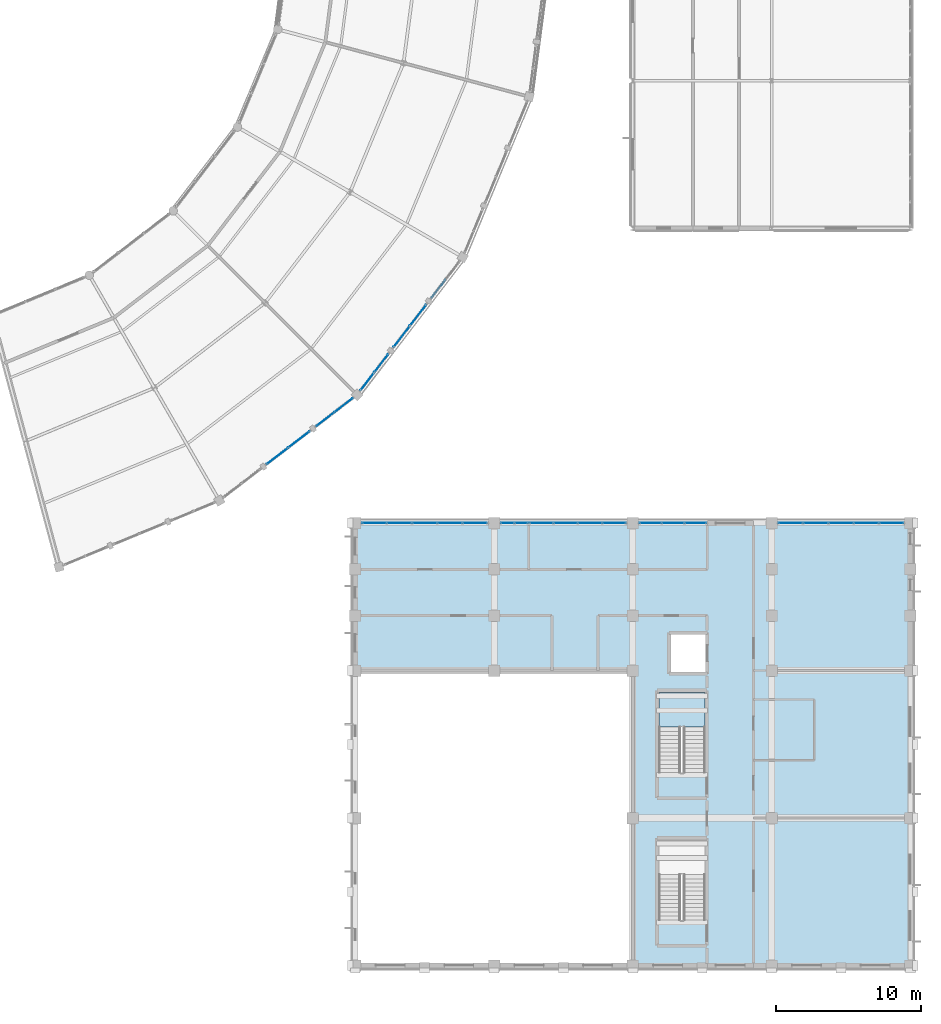
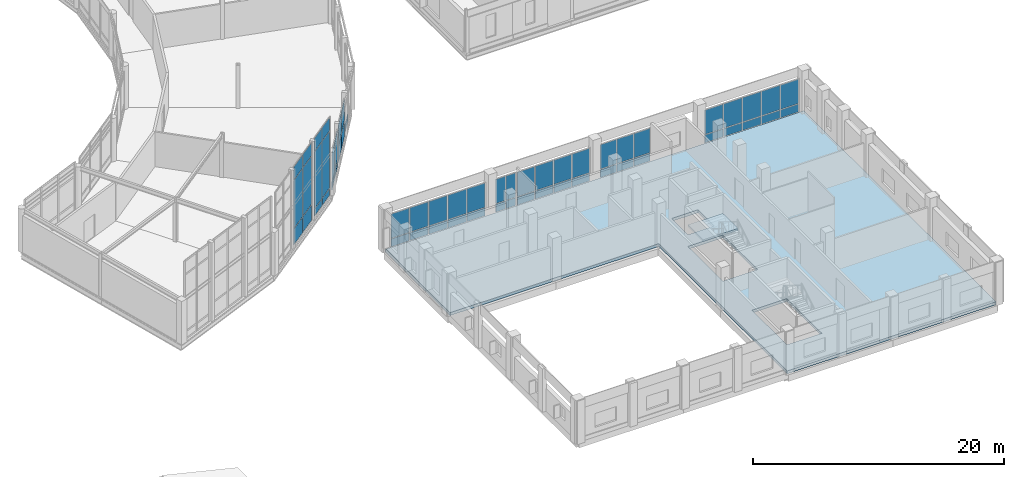
# One storey, part 132 of 170: 59 plates, 2 slabs, 11 elements without a shape of their own.
"""IFC4 building model written with IfcOpenShell, lengths in metres."""

from ifc_helpers import new_model, si_unit, direction, frame, origin, origin_2d, place, context, subcontext, project, spatial, polyline, rectangle, outline, extrude, material, layer, layer_set, type_object, element, aggregate, save


model = new_model("IFC4")

# Units and contexts
model_context = context("Model", 3, precision=1e-05, world=origin(), true_north=direction((0.0, 1.0)))
body_context = subcontext(model_context, "Body", "Model", "MODEL_VIEW")
ifc_project = project(units=[si_unit("LENGTHUNIT", "METRE"), si_unit("AREAUNIT", "SQUARE_METRE"), si_unit("VOLUMEUNIT", "CUBIC_METRE"), si_unit("PLANEANGLEUNIT", "RADIAN"), si_unit("MASSUNIT", "GRAM", prefix="KILO")], contexts=[model_context])

# Site, building, storey
site_placement = place(None, origin())
site = spatial("IfcSite", under=ifc_project, at=site_placement, CompositionType="ELEMENT")
building_placement = place(site_placement, origin())
building = spatial("IfcBuilding", under=site, at=building_placement, Name="Vondelvale Polytechnic", CompositionType="ELEMENT")
storey_placement = place(building_placement, frame((0.0, 0.0, 5.39990234375)))
storey = spatial("IfcBuildingStorey", under=building, at=storey_placement, Name="L01", CompositionType="ELEMENT", Elevation=5.39990234375)

# Curtain wall, plates
ifc_material_1 = material(Name="Anodised extruded aluminium 6063-T6", Category="aluminium")
curtain_wall_type_1 = type_object("IfcCurtainWallType", Name="CW-STUDIO-NORTH", PredefinedType="NOTDEFINED", material=ifc_material_1)
curtain_wall_1_placement = place(storey_placement, origin())
curtain_wall_1 = element("IfcCurtainWall", 1, at=curtain_wall_1_placement, inside=storey, type_object=curtain_wall_type_1, Name="L01 architectural curtain wall CW-01-058", PredefinedType="NOTDEFINED")
ifc_material_2 = material(Name="Double-glazed low-E insulated architectural glass", Category="glass")
ifc_layer_1 = layer(ifc_material_2, 0.028076171875)
ifc_layer_set_1 = layer_set([ifc_layer_1], Name="CW-PANEL-GLAZED")
plate_type_1 = type_object("IfcPlateType", Name="CW-PANEL-GLAZED", PredefinedType="CURTAIN_PANEL", material=ifc_layer_set_1)
plate_1_placement = place(storey_placement, frame((135.72021484375, 30.60009765625, 0.8798828125), z_axis=(0.0, 0.0, 1.0), x_axis=(1.0, 0.0, 0.0)))
plate_1 = element("IfcPlate", 2, at=plate_1_placement, type_object=plate_type_1, Name="CW-01-058 panel 1.2", PredefinedType="CURTAIN_PANEL", context=body_context, shape_type="SweptSolid", body=[
    extrude(rectangle(XDim=1.650390625, YDim=0.028076171875, at=origin_2d()), origin(), (0.0, 0.0, 1.0), 2.360107421875),
])
plate_2_placement = place(storey_placement, frame((137.451904296875, 30.60009765625, 0.8798828125), z_axis=(0.0, 0.0, 1.0), x_axis=(1.0, 0.0, 0.0)))
plate_2 = element("IfcPlate", 3, at=plate_2_placement, type_object=plate_type_1, Name="CW-01-058 panel 2.2", PredefinedType="CURTAIN_PANEL", context=body_context, shape_type="SweptSolid", body=[
    extrude(rectangle(XDim=1.68310546875, YDim=0.028076171875, at=origin_2d()), origin(), (0.0, 0.0, 1.0), 2.360107421875),
])
plate_3_placement = place(storey_placement, frame((139.199951171875, 30.60009765625, 0.8798828125), z_axis=(0.0, 0.0, 1.0), x_axis=(1.0, 0.0, 0.0)))
plate_3 = element("IfcPlate", 4, at=plate_3_placement, type_object=plate_type_1, Name="CW-01-058 panel 3.2", PredefinedType="CURTAIN_PANEL", context=body_context, shape_type="SweptSolid", body=[
    extrude(rectangle(XDim=1.68310546875, YDim=0.028076171875, at=origin_2d()), origin(), (0.0, 0.0, 1.0), 2.360107421875),
])
plate_4_placement = place(storey_placement, frame((140.947998046875, 30.60009765625, 0.8798828125), z_axis=(0.0, 0.0, 1.0), x_axis=(1.0, 0.0, 0.0)))
plate_4 = element("IfcPlate", 5, at=plate_4_placement, type_object=plate_type_1, Name="CW-01-058 panel 4.2", PredefinedType="CURTAIN_PANEL", context=body_context, shape_type="SweptSolid", body=[
    extrude(rectangle(XDim=1.68310546875, YDim=0.028076171875, at=origin_2d()), origin(), (0.0, 0.0, 1.0), 2.360107421875),
])
plate_5_placement = place(storey_placement, frame((142.6796875, 30.60009765625, 0.8798828125), z_axis=(0.0, 0.0, 1.0), x_axis=(1.0, 0.0, 0.0)))
plate_5 = element("IfcPlate", 6, at=plate_5_placement, type_object=plate_type_1, Name="CW-01-058 panel 5.2", PredefinedType="CURTAIN_PANEL", context=body_context, shape_type="SweptSolid", body=[
    extrude(rectangle(XDim=1.650390625, YDim=0.028076171875, at=origin_2d()), origin(), (0.0, 0.0, 1.0), 2.360107421875),
])

curtain_wall_2_placement = place(storey_placement, origin())
curtain_wall_2 = element("IfcCurtainWall", 7, at=curtain_wall_2_placement, inside=storey, type_object=curtain_wall_type_1, Name="L01 architectural curtain wall CW-01-059", PredefinedType="NOTDEFINED")
plate_6_placement = place(storey_placement, frame((144.93505859375, 30.60009765625, 0.8798828125), z_axis=(0.0, 0.0, 1.0), x_axis=(1.0, 0.0, 0.0)))
plate_6 = element("IfcPlate", 8, at=plate_6_placement, type_object=plate_type_1, Name="CW-01-059 panel 1.2", PredefinedType="CURTAIN_PANEL", context=body_context, shape_type="SweptSolid", body=[
    extrude(rectangle(XDim=0.8798828125, YDim=0.028076171875, at=origin_2d()), origin(), (0.0, 0.0, 1.0), 2.360107421875),
])
plate_7_placement = place(storey_placement, frame((145.8798828125, 30.60009765625, 0.8798828125), z_axis=(0.0, 0.0, 1.0), x_axis=(1.0, 0.0, 0.0)))
plate_7 = element("IfcPlate", 9, at=plate_7_placement, type_object=plate_type_1, Name="CW-01-059 panel 2.2", PredefinedType="CURTAIN_PANEL", context=body_context, shape_type="SweptSolid", body=[
    extrude(rectangle(XDim=0.8798828125, YDim=0.028076171875, at=origin_2d()), origin(), (0.0, 0.0, 1.0), 2.360107421875),
])

curtain_wall_3_placement = place(storey_placement, origin())
curtain_wall_3 = element("IfcCurtainWall", 10, at=curtain_wall_3_placement, inside=storey, type_object=curtain_wall_type_1, Name="L01 architectural curtain wall CW-01-060", PredefinedType="NOTDEFINED")
plate_8_placement = place(storey_placement, frame((147.275634765625, 30.60009765625, 0.8798828125), z_axis=(0.0, 0.0, 1.0), x_axis=(1.0, 0.0, 0.0)))
plate_8 = element("IfcPlate", 11, at=plate_8_placement, type_object=plate_type_1, Name="CW-01-060 panel 1.2", PredefinedType="CURTAIN_PANEL", context=body_context, shape_type="SweptSolid", body=[
    extrude(rectangle(XDim=1.59130859375, YDim=0.028076171875, at=origin_2d()), origin(), (0.0, 0.0, 1.0), 2.360107421875),
])
plate_9_placement = place(storey_placement, frame((148.9482421875, 30.60009765625, 0.8798828125), z_axis=(0.0, 0.0, 1.0), x_axis=(1.0, 0.0, 0.0)))
plate_9 = element("IfcPlate", 12, at=plate_9_placement, type_object=plate_type_1, Name="CW-01-060 panel 2.2", PredefinedType="CURTAIN_PANEL", context=body_context, shape_type="SweptSolid", body=[
    extrude(rectangle(XDim=1.623779296875, YDim=0.028076171875, at=origin_2d()), origin(), (0.0, 0.0, 1.0), 2.360107421875),
])
plate_10_placement = place(storey_placement, frame((150.636962890625, 30.60009765625, 0.8798828125), z_axis=(0.0, 0.0, 1.0), x_axis=(1.0, 0.0, 0.0)))
plate_10 = element("IfcPlate", 13, at=plate_10_placement, type_object=plate_type_1, Name="CW-01-060 panel 3.2", PredefinedType="CURTAIN_PANEL", context=body_context, shape_type="SweptSolid", body=[
    extrude(rectangle(XDim=1.623779296875, YDim=0.028076171875, at=origin_2d()), origin(), (0.0, 0.0, 1.0), 2.360107421875),
])
plate_11_placement = place(storey_placement, frame((152.309326171875, 30.60009765625, 0.8798828125), z_axis=(0.0, 0.0, 1.0), x_axis=(1.0, 0.0, 0.0)))
plate_11 = element("IfcPlate", 14, at=plate_11_placement, type_object=plate_type_1, Name="CW-01-060 panel 4.2", PredefinedType="CURTAIN_PANEL", context=body_context, shape_type="SweptSolid", body=[
    extrude(rectangle(XDim=1.59130859375, YDim=0.028076171875, at=origin_2d()), origin(), (0.0, 0.0, 1.0), 2.360107421875),
])

curtain_wall_4_placement = place(storey_placement, origin())
curtain_wall_4 = element("IfcCurtainWall", 15, at=curtain_wall_4_placement, inside=storey, type_object=curtain_wall_type_1, Name="L01 architectural curtain wall CW-01-061", PredefinedType="NOTDEFINED")
plate_12_placement = place(storey_placement, frame((154.830322265625, 30.60009765625, 0.8798828125), z_axis=(0.0, 0.0, 1.0), x_axis=(1.0, 0.0, 0.0)))
plate_12 = element("IfcPlate", 16, at=plate_12_placement, type_object=plate_type_1, Name="CW-01-061 panel 1.2", PredefinedType="CURTAIN_PANEL", context=body_context, shape_type="SweptSolid", body=[
    extrude(rectangle(XDim=1.470947265625, YDim=0.028076171875, at=origin_2d()), origin(), (0.0, 0.0, 1.0), 2.360107421875),
])
plate_13_placement = place(storey_placement, frame((156.382568359375, 30.60009765625, 0.8798828125), z_axis=(0.0, 0.0, 1.0), x_axis=(1.0, 0.0, 0.0)))
plate_13 = element("IfcPlate", 17, at=plate_13_placement, type_object=plate_type_1, Name="CW-01-061 panel 2.2", PredefinedType="CURTAIN_PANEL", context=body_context, shape_type="SweptSolid", body=[
    extrude(rectangle(XDim=1.50341796875, YDim=0.028076171875, at=origin_2d()), origin(), (0.0, 0.0, 1.0), 2.360107421875),
])
plate_14_placement = place(storey_placement, frame((157.9345703125, 30.60009765625, 0.8798828125), z_axis=(0.0, 0.0, 1.0), x_axis=(1.0, 0.0, 0.0)))
plate_14 = element("IfcPlate", 18, at=plate_14_placement, type_object=plate_type_1, Name="CW-01-061 panel 3.2", PredefinedType="CURTAIN_PANEL", context=body_context, shape_type="SweptSolid", body=[
    extrude(rectangle(XDim=1.470947265625, YDim=0.028076171875, at=origin_2d()), origin(), (0.0, 0.0, 1.0), 2.360107421875),
])

curtain_wall_5_placement = place(storey_placement, origin())
curtain_wall_5 = element("IfcCurtainWall", 19, at=curtain_wall_5_placement, inside=storey, type_object=curtain_wall_type_1, Name="L01 architectural curtain wall CW-01-062", PredefinedType="NOTDEFINED")
plate_15_placement = place(storey_placement, frame((164.520263671875, 30.60009765625, 0.8798828125), z_axis=(0.0, 0.0, 1.0), x_axis=(1.0, 0.0, 0.0)))
plate_15 = element("IfcPlate", 20, at=plate_15_placement, type_object=plate_type_1, Name="CW-01-062 panel 1.2", PredefinedType="CURTAIN_PANEL", context=body_context, shape_type="SweptSolid", body=[
    extrude(rectangle(XDim=1.650390625, YDim=0.028076171875, at=origin_2d()), origin(), (0.0, 0.0, 1.0), 2.360107421875),
])
plate_16_placement = place(storey_placement, frame((166.251953125, 30.60009765625, 0.8798828125), z_axis=(0.0, 0.0, 1.0), x_axis=(1.0, 0.0, 0.0)))
plate_16 = element("IfcPlate", 21, at=plate_16_placement, type_object=plate_type_1, Name="CW-01-062 panel 2.2", PredefinedType="CURTAIN_PANEL", context=body_context, shape_type="SweptSolid", body=[
    extrude(rectangle(XDim=1.68310546875, YDim=0.028076171875, at=origin_2d()), origin(), (0.0, 0.0, 1.0), 2.360107421875),
])
plate_17_placement = place(storey_placement, frame((168.0, 30.60009765625, 0.8798828125), z_axis=(0.0, 0.0, 1.0), x_axis=(1.0, 0.0, 0.0)))
plate_17 = element("IfcPlate", 22, at=plate_17_placement, type_object=plate_type_1, Name="CW-01-062 panel 3.2", PredefinedType="CURTAIN_PANEL", context=body_context, shape_type="SweptSolid", body=[
    extrude(rectangle(XDim=1.68310546875, YDim=0.028076171875, at=origin_2d()), origin(), (0.0, 0.0, 1.0), 2.360107421875),
])
plate_18_placement = place(storey_placement, frame((169.748046875, 30.60009765625, 0.8798828125), z_axis=(0.0, 0.0, 1.0), x_axis=(1.0, 0.0, 0.0)))
plate_18 = element("IfcPlate", 23, at=plate_18_placement, type_object=plate_type_1, Name="CW-01-062 panel 4.2", PredefinedType="CURTAIN_PANEL", context=body_context, shape_type="SweptSolid", body=[
    extrude(rectangle(XDim=1.68310546875, YDim=0.028076171875, at=origin_2d()), origin(), (0.0, 0.0, 1.0), 2.360107421875),
])
plate_19_placement = place(storey_placement, frame((171.479736328125, 30.60009765625, 0.8798828125), z_axis=(0.0, 0.0, 1.0), x_axis=(1.0, 0.0, 0.0)))
plate_19 = element("IfcPlate", 24, at=plate_19_placement, type_object=plate_type_1, Name="CW-01-062 panel 5.2", PredefinedType="CURTAIN_PANEL", context=body_context, shape_type="SweptSolid", body=[
    extrude(rectangle(XDim=1.650390625, YDim=0.028076171875, at=origin_2d()), origin(), (0.0, 0.0, 1.0), 2.360107421875),
])

ifc_material_3 = material(Name="Glulam GL18 structural Tasmanian oak (fb = 42 MPa)", Category="wood")
curtain_wall_type_2 = type_object("IfcCurtainWallType", Name="CW-RING-OUTER", PredefinedType="NOTDEFINED", material=ifc_material_3)
curtain_wall_6_placement = place(storey_placement, origin())
curtain_wall_6 = element("IfcCurtainWall", 25, at=curtain_wall_6_placement, inside=storey, type_object=curtain_wall_type_2, Name="L01 architectural curtain wall CW-04-346", PredefinedType="NOTDEFINED")
plate_20_placement = place(storey_placement, frame((129.02001953125, 35.24755859375, 1.630126953125), z_axis=(0.0, 0.0, 1.0), x_axis=(0.793345851043, 0.608771189063, 0.0)))
plate_20 = element("IfcPlate", 26, at=plate_20_placement, type_object=plate_type_1, Name="CW-04-346 panel 1.2", PredefinedType="CURTAIN_PANEL", context=body_context, shape_type="SweptSolid", body=[
    extrude(rectangle(XDim=1.80908203125, YDim=0.028076171875, at=origin_2d()), origin(), (0.0, 0.0, 1.0), 4.6513671875),
])
plate_21_placement = place(storey_placement, frame((129.02001953125, 35.24755859375, 6.34130859375), z_axis=(0.0, 0.0, 1.0), x_axis=(0.793345851043, 0.608771189063, 0.0)))
plate_21 = element("IfcPlate", 27, at=plate_21_placement, type_object=plate_type_1, Name="CW-04-346 panel 1.3", PredefinedType="CURTAIN_PANEL", context=body_context, shape_type="SweptSolid", body=[
    extrude(rectangle(XDim=1.80908203125, YDim=0.028076171875, at=origin_2d()), origin(), (0.0, 0.0, 1.0), 1.260009765625),
])
plate_22_placement = place(storey_placement, frame((130.5068359375, 36.388427734375, 1.630126953125), z_axis=(0.0, 0.0, 1.0), x_axis=(0.793345851043, 0.608771189063, 0.0)))
plate_22 = element("IfcPlate", 28, at=plate_22_placement, type_object=plate_type_1, Name="CW-04-346 panel 2.2", PredefinedType="CURTAIN_PANEL", context=body_context, shape_type="SweptSolid", body=[
    extrude(rectangle(XDim=1.80908203125, YDim=0.028076171875, at=origin_2d()), origin(), (0.0, 0.0, 1.0), 4.6513671875),
])
plate_23_placement = place(storey_placement, frame((130.5068359375, 36.388427734375, 6.34130859375), z_axis=(0.0, 0.0, 1.0), x_axis=(0.793345851043, 0.608771189063, 0.0)))
plate_23 = element("IfcPlate", 29, at=plate_23_placement, type_object=plate_type_1, Name="CW-04-346 panel 2.3", PredefinedType="CURTAIN_PANEL", context=body_context, shape_type="SweptSolid", body=[
    extrude(rectangle(XDim=1.80908203125, YDim=0.028076171875, at=origin_2d()), origin(), (0.0, 0.0, 1.0), 1.260009765625),
])

curtain_wall_7_placement = place(storey_placement, origin())
curtain_wall_7 = element("IfcCurtainWall", 30, at=curtain_wall_7_placement, inside=storey, type_object=curtain_wall_type_2, Name="L01 architectural curtain wall CW-04-347", PredefinedType="NOTDEFINED")
plate_24_placement = place(storey_placement, frame((132.339111328125, 37.794189453125, 0.780029296875), z_axis=(0.0, 0.0, 1.0), x_axis=(0.793333825656, 0.608786860133, 0.0)))
plate_24 = element("IfcPlate", 31, at=plate_24_placement, type_object=plate_type_1, Name="CW-04-347 panel 1.2", PredefinedType="CURTAIN_PANEL", context=body_context, shape_type="SweptSolid", body=[
    extrude(rectangle(XDim=1.530029296875, YDim=0.028076171875, at=origin_2d()), origin(), (0.0, 0.0, 1.0), 5.50146484375),
])
plate_25_placement = place(storey_placement, frame((132.339111328125, 37.794189453125, 6.34130859375), z_axis=(0.0, 0.0, 1.0), x_axis=(0.793333825656, 0.608786860133, 0.0)))
plate_25 = element("IfcPlate", 32, at=plate_25_placement, type_object=plate_type_1, Name="CW-04-347 panel 1.3", PredefinedType="CURTAIN_PANEL", context=body_context, shape_type="SweptSolid", body=[
    extrude(rectangle(XDim=1.530029296875, YDim=0.028076171875, at=origin_2d()), origin(), (0.0, 0.0, 1.0), 1.260009765625),
])
plate_26_placement = place(storey_placement, frame((133.6044921875, 38.765380859375, 0.780029296875), z_axis=(0.0, 0.0, 1.0), x_axis=(0.793333825656, 0.608786860133, 0.0)))
plate_26 = element("IfcPlate", 33, at=plate_26_placement, type_object=plate_type_1, Name="CW-04-347 panel 2.2", PredefinedType="CURTAIN_PANEL", context=body_context, shape_type="SweptSolid", body=[
    extrude(rectangle(XDim=1.530029296875, YDim=0.028076171875, at=origin_2d()), origin(), (0.0, 0.0, 1.0), 5.50146484375),
])
plate_27_placement = place(storey_placement, frame((133.6044921875, 38.765380859375, 6.34130859375), z_axis=(0.0, 0.0, 1.0), x_axis=(0.793333825656, 0.608786860133, 0.0)))
plate_27 = element("IfcPlate", 34, at=plate_27_placement, type_object=plate_type_1, Name="CW-04-347 panel 2.3", PredefinedType="CURTAIN_PANEL", context=body_context, shape_type="SweptSolid", body=[
    extrude(rectangle(XDim=1.530029296875, YDim=0.028076171875, at=origin_2d()), origin(), (0.0, 0.0, 1.0), 1.260009765625),
])

curtain_wall_8_placement = place(storey_placement, origin())
curtain_wall_8 = element("IfcCurtainWall", 35, at=curtain_wall_8_placement, inside=storey, type_object=curtain_wall_type_2, Name="L01 architectural curtain wall CW-04-352", PredefinedType="NOTDEFINED")
plate_28_placement = place(storey_placement, frame((135.234619140625, 40.3955078125, 0.7802734375), z_axis=(0.0, 0.0, 1.0), x_axis=(0.608786860133, 0.793333825656, 0.0)))
plate_28 = element("IfcPlate", 36, at=plate_28_placement, type_object=plate_type_1, Name="CW-04-352 panel 1.2", PredefinedType="CURTAIN_PANEL", context=body_context, shape_type="SweptSolid", body=[
    extrude(rectangle(XDim=1.530029296875, YDim=0.028076171875, at=origin_2d()), origin(), (0.0, 0.0, 1.0), 2.8798828125),
])
plate_29_placement = place(storey_placement, frame((136.205810546875, 41.660888671875, 0.7802734375), z_axis=(0.0, 0.0, 1.0), x_axis=(0.608786860133, 0.793333825656, 0.0)))
plate_29 = element("IfcPlate", 37, at=plate_29_placement, type_object=plate_type_1, Name="CW-04-352 panel 2.2", PredefinedType="CURTAIN_PANEL", context=body_context, shape_type="SweptSolid", body=[
    extrude(rectangle(XDim=1.530029296875, YDim=0.028076171875, at=origin_2d()), origin(), (0.0, 0.0, 1.0), 2.8798828125),
])

curtain_wall_9_placement = place(storey_placement, origin())
curtain_wall_9 = element("IfcCurtainWall", 38, at=curtain_wall_9_placement, inside=storey, type_object=curtain_wall_type_2, Name="L01 architectural curtain wall CW-04-353", PredefinedType="NOTDEFINED")
plate_30_placement = place(storey_placement, frame((137.611572265625, 43.4931640625, 1.6298828125), z_axis=(0.0, 0.0, 1.0), x_axis=(0.608771189063, 0.793345851043, 0.0)))
plate_30 = element("IfcPlate", 39, at=plate_30_placement, type_object=plate_type_1, Name="CW-04-353 panel 1.2", PredefinedType="CURTAIN_PANEL", context=body_context, shape_type="SweptSolid", body=[
    extrude(rectangle(XDim=1.80908203125, YDim=0.028076171875, at=origin_2d()), origin(), (0.0, 0.0, 1.0), 2.030029296875),
])
plate_31_placement = place(storey_placement, frame((138.75244140625, 44.97998046875, 1.6298828125), z_axis=(0.0, 0.0, 1.0), x_axis=(0.608771189063, 0.793345851043, 0.0)))
plate_31 = element("IfcPlate", 40, at=plate_31_placement, type_object=plate_type_1, Name="CW-04-353 panel 2.2", PredefinedType="CURTAIN_PANEL", context=body_context, shape_type="SweptSolid", body=[
    extrude(rectangle(XDim=1.80908203125, YDim=0.028076171875, at=origin_2d()), origin(), (0.0, 0.0, 1.0), 2.030029296875),
])

# Plate
ifc_material_4 = material(Name="Engineered Tasmanian oak studio and bridge joinery")
ifc_layer_2 = layer(ifc_material_4, 0.0419921875)
ifc_layer_set_2 = layer_set([ifc_layer_2], Name="CW-PANEL-OAK")
plate_type_2 = type_object("IfcPlateType", Name="CW-PANEL-OAK", PredefinedType="CURTAIN_PANEL", material=ifc_layer_set_2)
plate_32_placement = place(storey_placement, frame((129.02001953125, 35.24755859375, 0.06005859375), z_axis=(0.0, 0.0, 1.0), x_axis=(0.793345851043, 0.608771189063, 0.0)))
plate_32 = element("IfcPlate", 41, at=plate_32_placement, type_object=plate_type_2, Name="CW-04-346 panel 1.1", PredefinedType="CURTAIN_PANEL", context=body_context, shape_type="SweptSolid", body=[
    extrude(rectangle(XDim=1.80908203125, YDim=0.0419921875, at=origin_2d()), origin(), (0.0, 0.0, 1.0), 1.510009765625),
])

plate_33_placement = place(storey_placement, frame((130.5068359375, 36.388427734375, 0.06005859375), z_axis=(0.0, 0.0, 1.0), x_axis=(0.793345851043, 0.608771189063, 0.0)))
plate_33 = element("IfcPlate", 42, at=plate_33_placement, type_object=plate_type_2, Name="CW-04-346 panel 2.1", PredefinedType="CURTAIN_PANEL", context=body_context, shape_type="SweptSolid", body=[
    extrude(rectangle(XDim=1.80908203125, YDim=0.0419921875, at=origin_2d()), origin(), (0.0, 0.0, 1.0), 1.510009765625),
])

aggregate(curtain_wall_6, [plate_32, plate_20, plate_21, plate_33, plate_22, plate_23])

plate_34_placement = place(storey_placement, frame((137.611572265625, 43.4931640625, 0.06005859375), z_axis=(0.0, 0.0, 1.0), x_axis=(0.608771189063, 0.793345851043, 0.0)))
plate_34 = element("IfcPlate", 43, at=plate_34_placement, type_object=plate_type_2, Name="CW-04-353 panel 1.1", PredefinedType="CURTAIN_PANEL", context=body_context, shape_type="SweptSolid", body=[
    extrude(rectangle(XDim=1.80908203125, YDim=0.0419921875, at=origin_2d()), origin(), (0.0, 0.0, 1.0), 1.510009765625),
])

plate_35_placement = place(storey_placement, frame((138.75244140625, 44.97998046875, 0.06005859375), z_axis=(0.0, 0.0, 1.0), x_axis=(0.608771189063, 0.793345851043, 0.0)))
plate_35 = element("IfcPlate", 44, at=plate_35_placement, type_object=plate_type_2, Name="CW-04-353 panel 2.1", PredefinedType="CURTAIN_PANEL", context=body_context, shape_type="SweptSolid", body=[
    extrude(rectangle(XDim=1.80908203125, YDim=0.0419921875, at=origin_2d()), origin(), (0.0, 0.0, 1.0), 1.510009765625),
])

aggregate(curtain_wall_9, [plate_34, plate_30, plate_35, plate_31])

ifc_material_5 = material(Name="Kiln-fired architectural terracotta", Category="masonry")
ifc_layer_3 = layer(ifc_material_5, 0.035888671875)
ifc_layer_set_3 = layer_set([ifc_layer_3], Name="CW-PANEL-SPANDREL")
plate_type_3 = type_object("IfcPlateType", Name="CW-PANEL-SPANDREL", PredefinedType="CURTAIN_PANEL", material=ifc_layer_set_3)
plate_36_placement = place(storey_placement, frame((135.72021484375, 30.60009765625, 0.06005859375), z_axis=(0.0, 0.0, 1.0), x_axis=(1.0, 0.0, 0.0)))
plate_36 = element("IfcPlate", 45, at=plate_36_placement, type_object=plate_type_3, Name="CW-01-058 panel 1.1", PredefinedType="CURTAIN_PANEL", context=body_context, shape_type="SweptSolid", body=[
    extrude(rectangle(XDim=1.650390625, YDim=0.035888671875, at=origin_2d()), origin(), (0.0, 0.0, 1.0), 0.760009765625),
])

plate_37_placement = place(storey_placement, frame((137.451904296875, 30.60009765625, 0.06005859375), z_axis=(0.0, 0.0, 1.0), x_axis=(1.0, 0.0, 0.0)))
plate_37 = element("IfcPlate", 46, at=plate_37_placement, type_object=plate_type_3, Name="CW-01-058 panel 2.1", PredefinedType="CURTAIN_PANEL", context=body_context, shape_type="SweptSolid", body=[
    extrude(rectangle(XDim=1.68310546875, YDim=0.035888671875, at=origin_2d()), origin(), (0.0, 0.0, 1.0), 0.760009765625),
])

plate_38_placement = place(storey_placement, frame((139.199951171875, 30.60009765625, 0.06005859375), z_axis=(0.0, 0.0, 1.0), x_axis=(1.0, 0.0, 0.0)))
plate_38 = element("IfcPlate", 47, at=plate_38_placement, type_object=plate_type_3, Name="CW-01-058 panel 3.1", PredefinedType="CURTAIN_PANEL", context=body_context, shape_type="SweptSolid", body=[
    extrude(rectangle(XDim=1.68310546875, YDim=0.035888671875, at=origin_2d()), origin(), (0.0, 0.0, 1.0), 0.760009765625),
])

plate_39_placement = place(storey_placement, frame((140.947998046875, 30.60009765625, 0.06005859375), z_axis=(0.0, 0.0, 1.0), x_axis=(1.0, 0.0, 0.0)))
plate_39 = element("IfcPlate", 48, at=plate_39_placement, type_object=plate_type_3, Name="CW-01-058 panel 4.1", PredefinedType="CURTAIN_PANEL", context=body_context, shape_type="SweptSolid", body=[
    extrude(rectangle(XDim=1.68310546875, YDim=0.035888671875, at=origin_2d()), origin(), (0.0, 0.0, 1.0), 0.760009765625),
])

plate_40_placement = place(storey_placement, frame((142.6796875, 30.60009765625, 0.06005859375), z_axis=(0.0, 0.0, 1.0), x_axis=(1.0, 0.0, 0.0)))
plate_40 = element("IfcPlate", 49, at=plate_40_placement, type_object=plate_type_3, Name="CW-01-058 panel 5.1", PredefinedType="CURTAIN_PANEL", context=body_context, shape_type="SweptSolid", body=[
    extrude(rectangle(XDim=1.650390625, YDim=0.035888671875, at=origin_2d()), origin(), (0.0, 0.0, 1.0), 0.760009765625),
])

aggregate(curtain_wall_1, [plate_36, plate_1, plate_37, plate_2, plate_38, plate_3, plate_39, plate_4, plate_40, plate_5])

plate_41_placement = place(storey_placement, frame((144.93505859375, 30.60009765625, 0.06005859375), z_axis=(0.0, 0.0, 1.0), x_axis=(1.0, 0.0, 0.0)))
plate_41 = element("IfcPlate", 50, at=plate_41_placement, type_object=plate_type_3, Name="CW-01-059 panel 1.1", PredefinedType="CURTAIN_PANEL", context=body_context, shape_type="SweptSolid", body=[
    extrude(rectangle(XDim=0.8798828125, YDim=0.035888671875, at=origin_2d()), origin(), (0.0, 0.0, 1.0), 0.760009765625),
])

plate_42_placement = place(storey_placement, frame((145.8798828125, 30.60009765625, 0.06005859375), z_axis=(0.0, 0.0, 1.0), x_axis=(1.0, 0.0, 0.0)))
plate_42 = element("IfcPlate", 51, at=plate_42_placement, type_object=plate_type_3, Name="CW-01-059 panel 2.1", PredefinedType="CURTAIN_PANEL", context=body_context, shape_type="SweptSolid", body=[
    extrude(rectangle(XDim=0.8798828125, YDim=0.035888671875, at=origin_2d()), origin(), (0.0, 0.0, 1.0), 0.760009765625),
])

aggregate(curtain_wall_2, [plate_41, plate_6, plate_42, plate_7])

plate_43_placement = place(storey_placement, frame((147.275634765625, 30.60009765625, 0.06005859375), z_axis=(0.0, 0.0, 1.0), x_axis=(1.0, 0.0, 0.0)))
plate_43 = element("IfcPlate", 52, at=plate_43_placement, type_object=plate_type_3, Name="CW-01-060 panel 1.1", PredefinedType="CURTAIN_PANEL", context=body_context, shape_type="SweptSolid", body=[
    extrude(rectangle(XDim=1.59130859375, YDim=0.035888671875, at=origin_2d()), origin(), (0.0, 0.0, 1.0), 0.760009765625),
])

plate_44_placement = place(storey_placement, frame((148.9482421875, 30.60009765625, 0.06005859375), z_axis=(0.0, 0.0, 1.0), x_axis=(1.0, 0.0, 0.0)))
plate_44 = element("IfcPlate", 53, at=plate_44_placement, type_object=plate_type_3, Name="CW-01-060 panel 2.1", PredefinedType="CURTAIN_PANEL", context=body_context, shape_type="SweptSolid", body=[
    extrude(rectangle(XDim=1.623779296875, YDim=0.035888671875, at=origin_2d()), origin(), (0.0, 0.0, 1.0), 0.760009765625),
])

plate_45_placement = place(storey_placement, frame((150.636962890625, 30.60009765625, 0.06005859375), z_axis=(0.0, 0.0, 1.0), x_axis=(1.0, 0.0, 0.0)))
plate_45 = element("IfcPlate", 54, at=plate_45_placement, type_object=plate_type_3, Name="CW-01-060 panel 3.1", PredefinedType="CURTAIN_PANEL", context=body_context, shape_type="SweptSolid", body=[
    extrude(rectangle(XDim=1.623779296875, YDim=0.035888671875, at=origin_2d()), origin(), (0.0, 0.0, 1.0), 0.760009765625),
])

plate_46_placement = place(storey_placement, frame((152.309326171875, 30.60009765625, 0.06005859375), z_axis=(0.0, 0.0, 1.0), x_axis=(1.0, 0.0, 0.0)))
plate_46 = element("IfcPlate", 55, at=plate_46_placement, type_object=plate_type_3, Name="CW-01-060 panel 4.1", PredefinedType="CURTAIN_PANEL", context=body_context, shape_type="SweptSolid", body=[
    extrude(rectangle(XDim=1.59130859375, YDim=0.035888671875, at=origin_2d()), origin(), (0.0, 0.0, 1.0), 0.760009765625),
])

aggregate(curtain_wall_3, [plate_43, plate_8, plate_44, plate_9, plate_45, plate_10, plate_46, plate_11])

plate_47_placement = place(storey_placement, frame((154.830322265625, 30.60009765625, 0.06005859375), z_axis=(0.0, 0.0, 1.0), x_axis=(1.0, 0.0, 0.0)))
plate_47 = element("IfcPlate", 56, at=plate_47_placement, type_object=plate_type_3, Name="CW-01-061 panel 1.1", PredefinedType="CURTAIN_PANEL", context=body_context, shape_type="SweptSolid", body=[
    extrude(rectangle(XDim=1.470947265625, YDim=0.035888671875, at=origin_2d()), origin(), (0.0, 0.0, 1.0), 0.760009765625),
])

plate_48_placement = place(storey_placement, frame((156.382568359375, 30.60009765625, 0.06005859375), z_axis=(0.0, 0.0, 1.0), x_axis=(1.0, 0.0, 0.0)))
plate_48 = element("IfcPlate", 57, at=plate_48_placement, type_object=plate_type_3, Name="CW-01-061 panel 2.1", PredefinedType="CURTAIN_PANEL", context=body_context, shape_type="SweptSolid", body=[
    extrude(rectangle(XDim=1.50341796875, YDim=0.035888671875, at=origin_2d()), origin(), (0.0, 0.0, 1.0), 0.760009765625),
])

plate_49_placement = place(storey_placement, frame((157.9345703125, 30.60009765625, 0.06005859375), z_axis=(0.0, 0.0, 1.0), x_axis=(1.0, 0.0, 0.0)))
plate_49 = element("IfcPlate", 58, at=plate_49_placement, type_object=plate_type_3, Name="CW-01-061 panel 3.1", PredefinedType="CURTAIN_PANEL", context=body_context, shape_type="SweptSolid", body=[
    extrude(rectangle(XDim=1.470947265625, YDim=0.035888671875, at=origin_2d()), origin(), (0.0, 0.0, 1.0), 0.760009765625),
])

aggregate(curtain_wall_4, [plate_47, plate_12, plate_48, plate_13, plate_49, plate_14])

plate_50_placement = place(storey_placement, frame((164.520263671875, 30.60009765625, 0.06005859375), z_axis=(0.0, 0.0, 1.0), x_axis=(1.0, 0.0, 0.0)))
plate_50 = element("IfcPlate", 59, at=plate_50_placement, type_object=plate_type_3, Name="CW-01-062 panel 1.1", PredefinedType="CURTAIN_PANEL", context=body_context, shape_type="SweptSolid", body=[
    extrude(rectangle(XDim=1.650390625, YDim=0.035888671875, at=origin_2d()), origin(), (0.0, 0.0, 1.0), 0.760009765625),
])

plate_51_placement = place(storey_placement, frame((166.251953125, 30.60009765625, 0.06005859375), z_axis=(0.0, 0.0, 1.0), x_axis=(1.0, 0.0, 0.0)))
plate_51 = element("IfcPlate", 60, at=plate_51_placement, type_object=plate_type_3, Name="CW-01-062 panel 2.1", PredefinedType="CURTAIN_PANEL", context=body_context, shape_type="SweptSolid", body=[
    extrude(rectangle(XDim=1.68310546875, YDim=0.035888671875, at=origin_2d()), origin(), (0.0, 0.0, 1.0), 0.760009765625),
])

plate_52_placement = place(storey_placement, frame((168.0, 30.60009765625, 0.06005859375), z_axis=(0.0, 0.0, 1.0), x_axis=(1.0, 0.0, 0.0)))
plate_52 = element("IfcPlate", 61, at=plate_52_placement, type_object=plate_type_3, Name="CW-01-062 panel 3.1", PredefinedType="CURTAIN_PANEL", context=body_context, shape_type="SweptSolid", body=[
    extrude(rectangle(XDim=1.68310546875, YDim=0.035888671875, at=origin_2d()), origin(), (0.0, 0.0, 1.0), 0.760009765625),
])

plate_53_placement = place(storey_placement, frame((169.748046875, 30.60009765625, 0.06005859375), z_axis=(0.0, 0.0, 1.0), x_axis=(1.0, 0.0, 0.0)))
plate_53 = element("IfcPlate", 62, at=plate_53_placement, type_object=plate_type_3, Name="CW-01-062 panel 4.1", PredefinedType="CURTAIN_PANEL", context=body_context, shape_type="SweptSolid", body=[
    extrude(rectangle(XDim=1.68310546875, YDim=0.035888671875, at=origin_2d()), origin(), (0.0, 0.0, 1.0), 0.760009765625),
])

plate_54_placement = place(storey_placement, frame((171.479736328125, 30.60009765625, 0.06005859375), z_axis=(0.0, 0.0, 1.0), x_axis=(1.0, 0.0, 0.0)))
plate_54 = element("IfcPlate", 63, at=plate_54_placement, type_object=plate_type_3, Name="CW-01-062 panel 5.1", PredefinedType="CURTAIN_PANEL", context=body_context, shape_type="SweptSolid", body=[
    extrude(rectangle(XDim=1.650390625, YDim=0.035888671875, at=origin_2d()), origin(), (0.0, 0.0, 1.0), 0.760009765625),
])

aggregate(curtain_wall_5, [plate_50, plate_15, plate_51, plate_16, plate_52, plate_17, plate_53, plate_18, plate_54, plate_19])

plate_55_placement = place(storey_placement, frame((132.339111328125, 37.794189453125, 0.06005859375), z_axis=(0.0, 0.0, 1.0), x_axis=(0.793333825656, 0.608786860133, 0.0)))
plate_55 = element("IfcPlate", 64, at=plate_55_placement, type_object=plate_type_3, Name="CW-04-347 panel 1.1", PredefinedType="CURTAIN_PANEL", context=body_context, shape_type="SweptSolid", body=[
    extrude(rectangle(XDim=1.530029296875, YDim=0.035888671875, at=origin_2d()), origin(), (0.0, 0.0, 1.0), 0.659912109375),
])

plate_56_placement = place(storey_placement, frame((133.6044921875, 38.765380859375, 0.06005859375), z_axis=(0.0, 0.0, 1.0), x_axis=(0.793333825656, 0.608786860133, 0.0)))
plate_56 = element("IfcPlate", 65, at=plate_56_placement, type_object=plate_type_3, Name="CW-04-347 panel 2.1", PredefinedType="CURTAIN_PANEL", context=body_context, shape_type="SweptSolid", body=[
    extrude(rectangle(XDim=1.530029296875, YDim=0.035888671875, at=origin_2d()), origin(), (0.0, 0.0, 1.0), 0.659912109375),
])

aggregate(curtain_wall_7, [plate_55, plate_24, plate_25, plate_56, plate_26, plate_27])

plate_57_placement = place(storey_placement, frame((135.234619140625, 40.3955078125, 0.06005859375), z_axis=(0.0, 0.0, 1.0), x_axis=(0.608786860133, 0.793333825656, 0.0)))
plate_57 = element("IfcPlate", 66, at=plate_57_placement, type_object=plate_type_3, Name="CW-04-352 panel 1.1", PredefinedType="CURTAIN_PANEL", context=body_context, shape_type="SweptSolid", body=[
    extrude(rectangle(XDim=1.530029296875, YDim=0.035888671875, at=origin_2d()), origin(), (0.0, 0.0, 1.0), 0.659912109375),
])

plate_58_placement = place(storey_placement, frame((136.205810546875, 41.660888671875, 0.06005859375), z_axis=(0.0, 0.0, 1.0), x_axis=(0.608786860133, 0.793333825656, 0.0)))
plate_58 = element("IfcPlate", 67, at=plate_58_placement, type_object=plate_type_3, Name="CW-04-352 panel 2.1", PredefinedType="CURTAIN_PANEL", context=body_context, shape_type="SweptSolid", body=[
    extrude(rectangle(XDim=1.530029296875, YDim=0.035888671875, at=origin_2d()), origin(), (0.0, 0.0, 1.0), 0.659912109375),
])

aggregate(curtain_wall_8, [plate_57, plate_28, plate_58, plate_29])

# Curtain wall, plate
curtain_wall_10_placement = place(storey_placement, origin())
curtain_wall_10 = element("IfcCurtainWall", 68, at=curtain_wall_10_placement, inside=storey, type_object=curtain_wall_type_2, Name="L01 architectural curtain wall CW-04-354", PredefinedType="NOTDEFINED")
plate_59_placement = place(storey_placement, frame((140.158447265625, 46.812255859375, 0.06005859375), z_axis=(0.0, 0.0, 1.0), x_axis=(0.608786860133, 0.793333825656, 0.0)))
plate_59 = element("IfcPlate", 69, at=plate_59_placement, type_object=plate_type_3, Name="CW-04-354 panel 1.1", PredefinedType="CURTAIN_PANEL", context=body_context, shape_type="SweptSolid", body=[
    extrude(rectangle(XDim=1.530029296875, YDim=0.035888671875, at=origin_2d()), origin(), (0.0, 0.0, 1.0), 0.659912109375),
])
aggregate(curtain_wall_10, [plate_59])

# Slab
ifc_material_6 = material(Name="Concrete N40 (f'c = 40 MPa)", Category="concrete")
ifc_layer_4 = layer(ifc_material_6, 0.25)
ifc_layer_set_4 = layer_set([ifc_layer_4], Name="SLB-LAB-250")
slab_type_1 = type_object("IfcSlabType", Name="SLB-LAB-250", PredefinedType="FLOOR", material=ifc_layer_set_4)
slab_1_placement = place(storey_placement, frame((0.0, 0.0, -0.27978515625)))
element("IfcSlab", 70, at=slab_1_placement, inside=storey, type_object=slab_type_1, Name="L01 lecture theatre upper concourse slab", PredefinedType="FLOOR", context=body_context, shape_type="SweptSolid", body=[
    extrude(outline(polyline([(153.60009765625, 0.0), (172.800048828125, 0.0), (172.800048828125, 30.60009765625), (134.39990234375, 30.60009765625), (134.39990234375, 20.39990234375), (153.60009765625, 20.39990234375), (153.60009765625, 0.0)]), holes=[polyline([(158.60009765625, 3.14990234375), (158.60009765625, 8.699951171875), (155.39990234375, 8.699951171875), (155.39990234375, 3.14990234375), (158.60009765625, 3.14990234375)]), polyline([(158.60009765625, 13.35009765625), (158.60009765625, 18.89990234375), (155.39990234375, 18.89990234375), (155.39990234375, 13.35009765625), (158.60009765625, 13.35009765625)]), polyline([(156.22509765625, 20.300048828125), (158.625, 20.300048828125), (158.625, 22.89990234375), (156.22509765625, 22.89990234375), (156.22509765625, 20.300048828125)])]), origin(), (0.0, 0.0, 1.0), 0.27978515625),
])

# Stair, slab
stair_type = type_object("IfcStairType", Name="STR-DOG-1500", PredefinedType="HALF_TURN_STAIR", material=ifc_material_6)
stair_placement = place(storey_placement, origin())
stair = element("IfcStair", 71, at=stair_placement, inside=storey, type_object=stair_type, Name="L01 ST-07", PredefinedType="HALF_TURN_STAIR")
ifc_layer_5 = layer(ifc_material_6, 0.199951171875)
ifc_layer_set_5 = layer_set([ifc_layer_5], Name="SLB-LANDING-200")
slab_type_2 = type_object("IfcSlabType", Name="SLB-LANDING-200", PredefinedType="LANDING", material=ifc_layer_set_5)
slab_2_placement = place(storey_placement, frame((0.0, 0.0, 1.900146484375)))
slab_2 = element("IfcSlab", 72, at=slab_2_placement, type_object=slab_type_2, Name="ST-07 landing 1", PredefinedType="LANDING", context=body_context, shape_type="SweptSolid", body=[
    extrude(outline(polyline([(158.60009765625, 16.485107421875), (158.60009765625, 18.89990234375), (155.39990234375, 18.89990234375), (155.39990234375, 16.485107421875), (158.60009765625, 16.485107421875)])), origin(), (0.0, 0.0, 1.0), 0.199951171875),
])
aggregate(stair, [slab_2])

save(model, "model.ifc")
